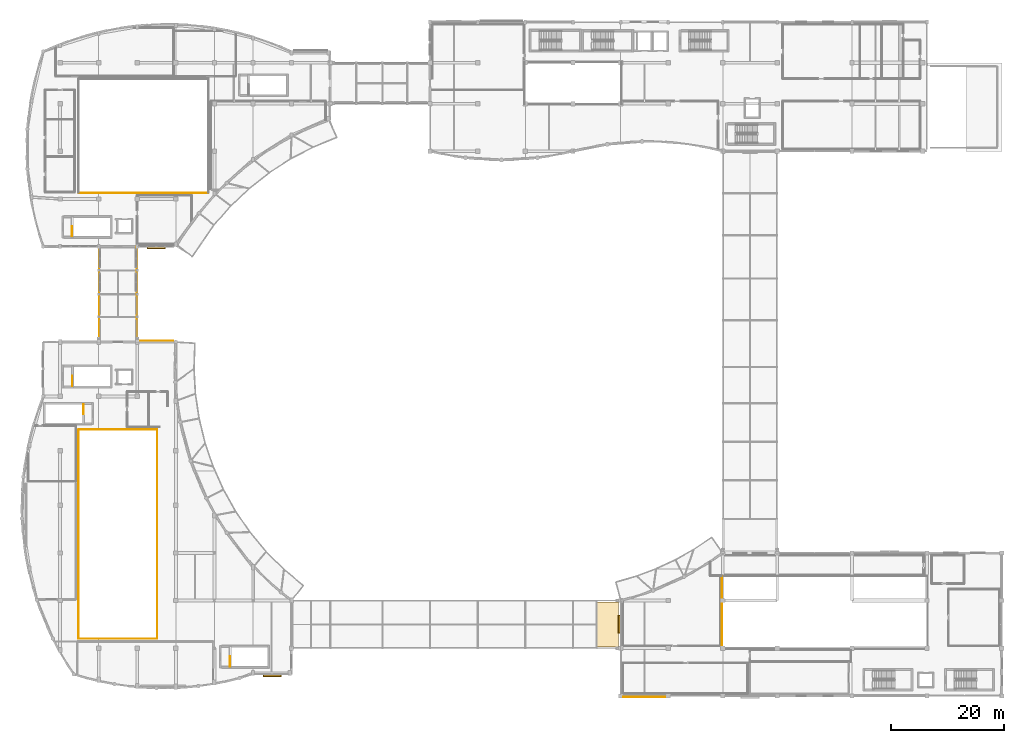
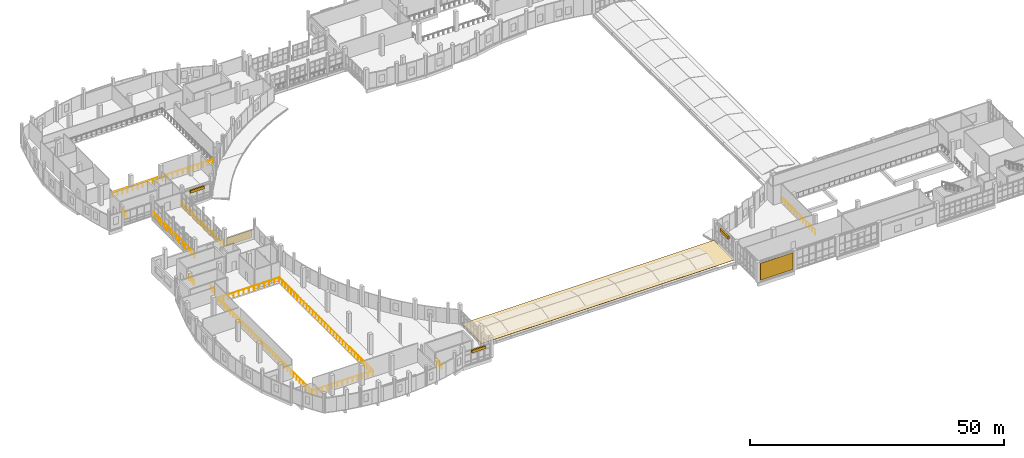
# One storey, part 98 of 106: 12 railings, 3 coverings, 3 shading devices.
"""IFC4 building model written with IfcOpenShell, lengths in metres."""

from ifc_helpers import new_model, si_unit, direction, frame, origin, origin_2d, place, context, subcontext, project, spatial, polyline, rectangle, circle, outline, extrude, material, layer, layer_set, type_object, element, save


model = new_model("IFC4")

# Units and contexts
model_context = context("Model", 3, precision=1e-05, world=origin(), true_north=direction((0.0, 1.0)))
body_context = subcontext(model_context, "Body", "Model", "MODEL_VIEW")
ifc_project = project(units=[si_unit("LENGTHUNIT", "METRE"), si_unit("AREAUNIT", "SQUARE_METRE"), si_unit("VOLUMEUNIT", "CUBIC_METRE"), si_unit("PLANEANGLEUNIT", "RADIAN"), si_unit("MASSUNIT", "GRAM", prefix="KILO")], contexts=[model_context])

# Site, building, storey
site_placement = place(None, origin())
site = spatial("IfcSite", under=ifc_project, at=site_placement, CompositionType="ELEMENT")
building_placement = place(site_placement, origin())
building = spatial("IfcBuilding", under=site, at=building_placement, Name="Kisaragi Civic Commons", CompositionType="ELEMENT")
storey_placement = place(building_placement, frame((0.0, 0.0, 4.800048828125)))
storey = spatial("IfcBuildingStorey", under=building, at=storey_placement, Name="L01", CompositionType="ELEMENT", Elevation=4.800048828125)

# Railings
ifc_material_1 = material(Name="Hot-dip galvanized and fluoropolymer-coated steel", Category="steel")
railing_type_1 = type_object("IfcRailingType", Name="BAL-01", PredefinedType="BALUSTRADE", material=ifc_material_1)
railing_1_placement = place(storey_placement, frame((13.679931640625, 62.6298828125, 0.0)))
element("IfcRailing", 1, at=railing_1_placement, inside=storey, type_object=railing_type_1, Name="BR-V2-V1 L01 bridge edge balustrade 3", PredefinedType="BALUSTRADE", context=body_context, shape_type="SweptSolid", body=[
    extrude(circle(Radius=0.02392578125, at=origin_2d()), frame((0.0, 0.0, 1.1259765625), z_axis=(0.0, 1.0, 0.0), x_axis=(-1.0, 0.0, 0.0)), (0.0, 0.0, 1.0), 16.490234375),
    extrude(circle(Radius=0.02099609375, at=origin_2d()), origin(), (0.0, 0.0, 1.0), 1.101806640625),
    extrude(circle(Radius=0.02099609375, at=origin_2d()), frame((0.0, 1.177978515625, 0.0)), (0.0, 0.0, 1.0), 1.101806640625),
    extrude(circle(Radius=0.02099609375, at=origin_2d()), frame((0.0, 2.355712890625, 0.0)), (0.0, 0.0, 1.0), 1.101806640625),
    extrude(circle(Radius=0.02099609375, at=origin_2d()), frame((0.0, 3.53369140625, 0.0)), (0.0, 0.0, 1.0), 1.101806640625),
    extrude(circle(Radius=0.02099609375, at=origin_2d()), frame((0.0, 4.71142578125, 0.0)), (0.0, 0.0, 1.0), 1.101806640625),
    extrude(circle(Radius=0.02099609375, at=origin_2d()), frame((0.0, 5.889404296875, 0.0)), (0.0, 0.0, 1.0), 1.101806640625),
    extrude(circle(Radius=0.02099609375, at=origin_2d()), frame((0.0, 7.067138671875, 0.0)), (0.0, 0.0, 1.0), 1.101806640625),
    extrude(circle(Radius=0.02099609375, at=origin_2d()), frame((0.0, 8.2451171875, 0.0)), (0.0, 0.0, 1.0), 1.101806640625),
    extrude(circle(Radius=0.02099609375, at=origin_2d()), frame((0.0, 9.423095703125, 0.0)), (0.0, 0.0, 1.0), 1.101806640625),
    extrude(circle(Radius=0.02099609375, at=origin_2d()), frame((0.0, 10.600830078125, 0.0)), (0.0, 0.0, 1.0), 1.101806640625),
    extrude(circle(Radius=0.02099609375, at=origin_2d()), frame((0.0, 11.77880859375, 0.0)), (0.0, 0.0, 1.0), 1.101806640625),
    extrude(circle(Radius=0.02099609375, at=origin_2d()), frame((0.0, 12.95654296875, 0.0)), (0.0, 0.0, 1.0), 1.101806640625),
    extrude(circle(Radius=0.02099609375, at=origin_2d()), frame((0.0, 14.134521484375, 0.0)), (0.0, 0.0, 1.0), 1.101806640625),
    extrude(circle(Radius=0.02099609375, at=origin_2d()), frame((0.0, 15.312255859375, 0.0)), (0.0, 0.0, 1.0), 1.101806640625),
    extrude(circle(Radius=0.02099609375, at=origin_2d()), frame((0.0, 16.490234375, 0.0)), (0.0, 0.0, 1.0), 1.101806640625),
])
railing_2_placement = place(storey_placement, frame((20.320068359375, 62.6298828125, 0.0)))
element("IfcRailing", 2, at=railing_2_placement, inside=storey, type_object=railing_type_1, Name="BR-V2-V1 L01 bridge edge balustrade 4", PredefinedType="BALUSTRADE", context=body_context, shape_type="SweptSolid", body=[
    extrude(circle(Radius=0.02392578125, at=origin_2d()), frame((0.0, 0.0, 1.1259765625), z_axis=(0.0, 1.0, 0.0), x_axis=(-1.0, 0.0, 0.0)), (0.0, 0.0, 1.0), 16.490234375),
    extrude(circle(Radius=0.02099609375, at=origin_2d()), origin(), (0.0, 0.0, 1.0), 1.101806640625),
    extrude(circle(Radius=0.02099609375, at=origin_2d()), frame((0.0, 1.177978515625, 0.0)), (0.0, 0.0, 1.0), 1.101806640625),
    extrude(circle(Radius=0.02099609375, at=origin_2d()), frame((0.0, 2.355712890625, 0.0)), (0.0, 0.0, 1.0), 1.101806640625),
    extrude(circle(Radius=0.02099609375, at=origin_2d()), frame((0.0, 3.53369140625, 0.0)), (0.0, 0.0, 1.0), 1.101806640625),
    extrude(circle(Radius=0.02099609375, at=origin_2d()), frame((0.0, 4.71142578125, 0.0)), (0.0, 0.0, 1.0), 1.101806640625),
    extrude(circle(Radius=0.02099609375, at=origin_2d()), frame((0.0, 5.889404296875, 0.0)), (0.0, 0.0, 1.0), 1.101806640625),
    extrude(circle(Radius=0.02099609375, at=origin_2d()), frame((0.0, 7.067138671875, 0.0)), (0.0, 0.0, 1.0), 1.101806640625),
    extrude(circle(Radius=0.02099609375, at=origin_2d()), frame((0.0, 8.2451171875, 0.0)), (0.0, 0.0, 1.0), 1.101806640625),
    extrude(circle(Radius=0.02099609375, at=origin_2d()), frame((0.0, 9.423095703125, 0.0)), (0.0, 0.0, 1.0), 1.101806640625),
    extrude(circle(Radius=0.02099609375, at=origin_2d()), frame((0.0, 10.600830078125, 0.0)), (0.0, 0.0, 1.0), 1.101806640625),
    extrude(circle(Radius=0.02099609375, at=origin_2d()), frame((0.0, 11.77880859375, 0.0)), (0.0, 0.0, 1.0), 1.101806640625),
    extrude(circle(Radius=0.02099609375, at=origin_2d()), frame((0.0, 12.95654296875, 0.0)), (0.0, 0.0, 1.0), 1.101806640625),
    extrude(circle(Radius=0.02099609375, at=origin_2d()), frame((0.0, 14.134521484375, 0.0)), (0.0, 0.0, 1.0), 1.101806640625),
    extrude(circle(Radius=0.02099609375, at=origin_2d()), frame((0.0, 15.312255859375, 0.0)), (0.0, 0.0, 1.0), 1.101806640625),
    extrude(circle(Radius=0.02099609375, at=origin_2d()), frame((0.0, 16.490234375, 0.0)), (0.0, 0.0, 1.0), 1.101806640625),
])

# Coverings
ifc_material_2 = material(Name="Extruded Tokoname terracotta rainscreen tile", Category="masonry")
ifc_layer_1 = layer(ifc_material_2, 0.0400390625, Name="Extruded Tokoname terracotta rainscreen tile", Category="masonry")
ifc_layer_set_1 = layer_set([ifc_layer_1], Name="Extruded Tokoname terracotta rainscreen tile")
covering_type_1 = type_object("IfcCoveringType", Name="CLD-01", PredefinedType="CLADDING", material=ifc_layer_set_1)
covering_1_placement = place(storey_placement, frame((109.800048828125, -0.177978515625, 0.25), z_axis=(0.0, 0.0, 1.0), x_axis=(-1.0, 0.0, 0.0)))
element("IfcCovering", 3, at=covering_1_placement, inside=storey, type_object=covering_type_1, Name="V3 L01 terracotta facade cladding 5", PredefinedType="CLADDING", context=body_context, shape_type="SweptSolid", body=[
    extrude(rectangle(XDim=7.39990234375, YDim=0.0400390625, at=origin_2d()), origin(), (0.0, 0.0, 1.0), 4.0400390625),
])
ifc_layer_2 = layer(ifc_material_2, 0.031982421875, Name="Extruded Tokoname terracotta rainscreen tile", Category="masonry")
ifc_layer_set_2 = layer_set([ifc_layer_2], Name="Extruded Tokoname terracotta rainscreen tile")
covering_type_2 = type_object("IfcCoveringType", Name="CLD-02", PredefinedType="CLADDING", material=ifc_layer_set_2)
covering_2_placement = place(storey_placement, frame((23.800048828125, 62.589111328125, 0.25), z_axis=(0.0, 0.0, 1.0), x_axis=(1.0, 0.0, 0.0)))
element("IfcCovering", 4, at=covering_2_placement, inside=storey, type_object=covering_type_2, Name="V1 L01 terracotta facade cladding 2", PredefinedType="CLADDING", context=body_context, shape_type="SweptSolid", body=[
    extrude(rectangle(XDim=5.800048828125, YDim=0.031982421875, at=origin_2d()), origin(), (0.0, 0.0, 1.0), 1.8701171875),
])

# Railings
ifc_material_3 = material(Name="Powder-coated architectural steel and hinoki cap rail", Category="steel")
railing_type_2 = type_object("IfcRailingType", Name="GRD-I1", PredefinedType="GUARDRAIL", material=ifc_material_3)
railing_3_placement = place(storey_placement, frame((10.06005859375, 10.06005859375, 0.0)))
element("IfcRailing", 5, at=railing_3_placement, inside=storey, type_object=railing_type_2, Name="V1 L01 gallery void guardrail 1", PredefinedType="GUARDRAIL", context=body_context, shape_type="SweptSolid", body=[
    extrude(circle(Radius=0.02392578125, at=origin_2d()), frame((0.0, 0.0, 1.1259765625), z_axis=(1.0, 0.0, 0.0), x_axis=(0.0, 1.0, 0.0)), (0.0, 0.0, 1.0), 13.8798828125),
    extrude(circle(Radius=0.02099609375, at=origin_2d()), origin(), (0.0, 0.0, 1.0), 1.101806640625),
    extrude(circle(Radius=0.02099609375, at=origin_2d()), frame((1.15673828125, 0.0, 0.0)), (0.0, 0.0, 1.0), 1.101806640625),
    extrude(circle(Radius=0.02099609375, at=origin_2d()), frame((2.313232421875, 0.0, 0.0)), (0.0, 0.0, 1.0), 1.101806640625),
    extrude(circle(Radius=0.02099609375, at=origin_2d()), frame((3.469970703125, 0.0, 0.0)), (0.0, 0.0, 1.0), 1.101806640625),
    extrude(circle(Radius=0.02099609375, at=origin_2d()), frame((4.626708984375, 0.0, 0.0)), (0.0, 0.0, 1.0), 1.101806640625),
    extrude(circle(Radius=0.02099609375, at=origin_2d()), frame((5.783203125, 0.0, 0.0)), (0.0, 0.0, 1.0), 1.101806640625),
    extrude(circle(Radius=0.02099609375, at=origin_2d()), frame((6.93994140625, 0.0, 0.0)), (0.0, 0.0, 1.0), 1.101806640625),
    extrude(circle(Radius=0.02099609375, at=origin_2d()), frame((8.0966796875, 0.0, 0.0)), (0.0, 0.0, 1.0), 1.101806640625),
    extrude(circle(Radius=0.02099609375, at=origin_2d()), frame((9.253173828125, 0.0, 0.0)), (0.0, 0.0, 1.0), 1.101806640625),
    extrude(circle(Radius=0.02099609375, at=origin_2d()), frame((10.409912109375, 0.0, 0.0)), (0.0, 0.0, 1.0), 1.101806640625),
    extrude(circle(Radius=0.02099609375, at=origin_2d()), frame((11.566650390625, 0.0, 0.0)), (0.0, 0.0, 1.0), 1.101806640625),
    extrude(circle(Radius=0.02099609375, at=origin_2d()), frame((12.72314453125, 0.0, 0.0)), (0.0, 0.0, 1.0), 1.101806640625),
    extrude(circle(Radius=0.02099609375, at=origin_2d()), frame((13.8798828125, 0.0, 0.0)), (0.0, 0.0, 1.0), 1.101806640625),
])
railing_4_placement = place(storey_placement, frame((23.93994140625, 10.090087890625, 0.0)))
element("IfcRailing", 6, at=railing_4_placement, inside=storey, type_object=railing_type_2, Name="V1 L01 gallery void guardrail 2", PredefinedType="GUARDRAIL", context=body_context, shape_type="SweptSolid", body=[
    extrude(circle(Radius=0.02392578125, at=origin_2d()), frame((0.0, 0.0, 1.1259765625), z_axis=(0.0, 1.0, 0.0), x_axis=(-1.0, 0.0, 0.0)), (0.0, 0.0, 1.0), 36.81982421875),
    extrude(circle(Radius=0.02099609375, at=origin_2d()), origin(), (0.0, 0.0, 1.0), 1.101806640625),
    extrude(circle(Radius=0.02099609375, at=origin_2d()), frame((0.0, 1.187744140625, 0.0)), (0.0, 0.0, 1.0), 1.101806640625),
    extrude(circle(Radius=0.02099609375, at=origin_2d()), frame((0.0, 2.37548828125, 0.0)), (0.0, 0.0, 1.0), 1.101806640625),
    extrude(circle(Radius=0.02099609375, at=origin_2d()), frame((0.0, 3.563232421875, 0.0)), (0.0, 0.0, 1.0), 1.101806640625),
    extrude(circle(Radius=0.02099609375, at=origin_2d()), frame((0.0, 4.7509765625, 0.0)), (0.0, 0.0, 1.0), 1.101806640625),
    extrude(circle(Radius=0.02099609375, at=origin_2d()), frame((0.0, 5.938720703125, 0.0)), (0.0, 0.0, 1.0), 1.101806640625),
    extrude(circle(Radius=0.02099609375, at=origin_2d()), frame((0.0, 7.12646484375, 0.0)), (0.0, 0.0, 1.0), 1.101806640625),
    extrude(circle(Radius=0.02099609375, at=origin_2d()), frame((0.0, 8.314208984375, 0.0)), (0.0, 0.0, 1.0), 1.101806640625),
    extrude(circle(Radius=0.02099609375, at=origin_2d()), frame((0.0, 9.501953125, 0.0)), (0.0, 0.0, 1.0), 1.101806640625),
    extrude(circle(Radius=0.02099609375, at=origin_2d()), frame((0.0, 10.689697265625, 0.0)), (0.0, 0.0, 1.0), 1.101806640625),
    extrude(circle(Radius=0.02099609375, at=origin_2d()), frame((0.0, 11.87744140625, 0.0)), (0.0, 0.0, 1.0), 1.101806640625),
    extrude(circle(Radius=0.02099609375, at=origin_2d()), frame((0.0, 13.065185546875, 0.0)), (0.0, 0.0, 1.0), 1.101806640625),
    extrude(circle(Radius=0.02099609375, at=origin_2d()), frame((0.0, 14.2529296875, 0.0)), (0.0, 0.0, 1.0), 1.101806640625),
    extrude(circle(Radius=0.02099609375, at=origin_2d()), frame((0.0, 15.440673828125, 0.0)), (0.0, 0.0, 1.0), 1.101806640625),
    extrude(circle(Radius=0.02099609375, at=origin_2d()), frame((0.0, 16.62841796875, 0.0)), (0.0, 0.0, 1.0), 1.101806640625),
    extrude(circle(Radius=0.02099609375, at=origin_2d()), frame((0.0, 17.816162109375, 0.0)), (0.0, 0.0, 1.0), 1.101806640625),
    extrude(circle(Radius=0.02099609375, at=origin_2d()), frame((0.0, 19.003662109375, 0.0)), (0.0, 0.0, 1.0), 1.101806640625),
    extrude(circle(Radius=0.02099609375, at=origin_2d()), frame((0.0, 20.19140625, 0.0)), (0.0, 0.0, 1.0), 1.101806640625),
    extrude(circle(Radius=0.02099609375, at=origin_2d()), frame((0.0, 21.379150390625, 0.0)), (0.0, 0.0, 1.0), 1.101806640625),
    extrude(circle(Radius=0.02099609375, at=origin_2d()), frame((0.0, 22.56689453125, 0.0)), (0.0, 0.0, 1.0), 1.101806640625),
    extrude(circle(Radius=0.02099609375, at=origin_2d()), frame((0.0, 23.754638671875, 0.0)), (0.0, 0.0, 1.0), 1.101806640625),
    extrude(circle(Radius=0.02099609375, at=origin_2d()), frame((0.0, 24.9423828125, 0.0)), (0.0, 0.0, 1.0), 1.101806640625),
    extrude(circle(Radius=0.02099609375, at=origin_2d()), frame((0.0, 26.130126953125, 0.0)), (0.0, 0.0, 1.0), 1.101806640625),
    extrude(circle(Radius=0.02099609375, at=origin_2d()), frame((0.0, 27.31787109375, 0.0)), (0.0, 0.0, 1.0), 1.101806640625),
    extrude(circle(Radius=0.02099609375, at=origin_2d()), frame((0.0, 28.505615234375, 0.0)), (0.0, 0.0, 1.0), 1.101806640625),
    extrude(circle(Radius=0.02099609375, at=origin_2d()), frame((0.0, 29.693359375, 0.0)), (0.0, 0.0, 1.0), 1.101806640625),
    extrude(circle(Radius=0.02099609375, at=origin_2d()), frame((0.0, 30.881103515625, 0.0)), (0.0, 0.0, 1.0), 1.101806640625),
    extrude(circle(Radius=0.02099609375, at=origin_2d()), frame((0.0, 32.06884765625, 0.0)), (0.0, 0.0, 1.0), 1.101806640625),
    extrude(circle(Radius=0.02099609375, at=origin_2d()), frame((0.0, 33.256591796875, 0.0)), (0.0, 0.0, 1.0), 1.101806640625),
    extrude(circle(Radius=0.02099609375, at=origin_2d()), frame((0.0, 34.4443359375, 0.0)), (0.0, 0.0, 1.0), 1.101806640625),
    extrude(circle(Radius=0.02099609375, at=origin_2d()), frame((0.0, 35.632080078125, 0.0)), (0.0, 0.0, 1.0), 1.101806640625),
    extrude(circle(Radius=0.02099609375, at=origin_2d()), frame((0.0, 36.81982421875, 0.0)), (0.0, 0.0, 1.0), 1.101806640625),
])
railing_5_placement = place(storey_placement, frame((23.93994140625, 46.93994140625, 0.0)))
element("IfcRailing", 7, at=railing_5_placement, inside=storey, type_object=railing_type_2, Name="V1 L01 gallery void guardrail 3", PredefinedType="GUARDRAIL", context=body_context, shape_type="SweptSolid", body=[
    extrude(circle(Radius=0.02392578125, at=origin_2d()), frame((0.0, 0.0, 1.1259765625), z_axis=(-1.0, 0.0, 0.0), x_axis=(0.0, -1.0, 0.0)), (0.0, 0.0, 1.0), 13.8798828125),
    extrude(circle(Radius=0.02099609375, at=origin_2d()), origin(), (0.0, 0.0, 1.0), 1.101806640625),
    extrude(circle(Radius=0.02099609375, at=origin_2d()), frame((-1.15673828125, 0.0, 0.0)), (0.0, 0.0, 1.0), 1.101806640625),
    extrude(circle(Radius=0.02099609375, at=origin_2d()), frame((-2.313232421875, 0.0, 0.0)), (0.0, 0.0, 1.0), 1.101806640625),
    extrude(circle(Radius=0.02099609375, at=origin_2d()), frame((-3.469970703125, 0.0, 0.0)), (0.0, 0.0, 1.0), 1.101806640625),
    extrude(circle(Radius=0.02099609375, at=origin_2d()), frame((-4.626708984375, 0.0, 0.0)), (0.0, 0.0, 1.0), 1.101806640625),
    extrude(circle(Radius=0.02099609375, at=origin_2d()), frame((-5.783203125, 0.0, 0.0)), (0.0, 0.0, 1.0), 1.101806640625),
    extrude(circle(Radius=0.02099609375, at=origin_2d()), frame((-6.93994140625, 0.0, 0.0)), (0.0, 0.0, 1.0), 1.101806640625),
    extrude(circle(Radius=0.02099609375, at=origin_2d()), frame((-8.0966796875, 0.0, 0.0)), (0.0, 0.0, 1.0), 1.101806640625),
    extrude(circle(Radius=0.02099609375, at=origin_2d()), frame((-9.253173828125, 0.0, 0.0)), (0.0, 0.0, 1.0), 1.101806640625),
    extrude(circle(Radius=0.02099609375, at=origin_2d()), frame((-10.409912109375, 0.0, 0.0)), (0.0, 0.0, 1.0), 1.101806640625),
    extrude(circle(Radius=0.02099609375, at=origin_2d()), frame((-11.566650390625, 0.0, 0.0)), (0.0, 0.0, 1.0), 1.101806640625),
    extrude(circle(Radius=0.02099609375, at=origin_2d()), frame((-12.72314453125, 0.0, 0.0)), (0.0, 0.0, 1.0), 1.101806640625),
    extrude(circle(Radius=0.02099609375, at=origin_2d()), frame((-13.8798828125, 0.0, 0.0)), (0.0, 0.0, 1.0), 1.101806640625),
])
railing_6_placement = place(storey_placement, frame((10.06005859375, 46.909912109375, 0.0)))
element("IfcRailing", 8, at=railing_6_placement, inside=storey, type_object=railing_type_2, Name="V1 L01 gallery void guardrail 4", PredefinedType="GUARDRAIL", context=body_context, shape_type="SweptSolid", body=[
    extrude(circle(Radius=0.02392578125, at=origin_2d()), frame((0.0, 0.0, 1.1259765625), z_axis=(0.0, -1.0, 0.0), x_axis=(1.0, 0.0, 0.0)), (0.0, 0.0, 1.0), 36.81982421875),
    extrude(circle(Radius=0.02099609375, at=origin_2d()), origin(), (0.0, 0.0, 1.0), 1.101806640625),
    extrude(circle(Radius=0.02099609375, at=origin_2d()), frame((0.0, -1.187744140625, 0.0)), (0.0, 0.0, 1.0), 1.101806640625),
    extrude(circle(Radius=0.02099609375, at=origin_2d()), frame((0.0, -2.37548828125, 0.0)), (0.0, 0.0, 1.0), 1.101806640625),
    extrude(circle(Radius=0.02099609375, at=origin_2d()), frame((0.0, -3.563232421875, 0.0)), (0.0, 0.0, 1.0), 1.101806640625),
    extrude(circle(Radius=0.02099609375, at=origin_2d()), frame((0.0, -4.7509765625, 0.0)), (0.0, 0.0, 1.0), 1.101806640625),
    extrude(circle(Radius=0.02099609375, at=origin_2d()), frame((0.0, -5.938720703125, 0.0)), (0.0, 0.0, 1.0), 1.101806640625),
    extrude(circle(Radius=0.02099609375, at=origin_2d()), frame((0.0, -7.12646484375, 0.0)), (0.0, 0.0, 1.0), 1.101806640625),
    extrude(circle(Radius=0.02099609375, at=origin_2d()), frame((0.0, -8.314208984375, 0.0)), (0.0, 0.0, 1.0), 1.101806640625),
    extrude(circle(Radius=0.02099609375, at=origin_2d()), frame((0.0, -9.501953125, 0.0)), (0.0, 0.0, 1.0), 1.101806640625),
    extrude(circle(Radius=0.02099609375, at=origin_2d()), frame((0.0, -10.689697265625, 0.0)), (0.0, 0.0, 1.0), 1.101806640625),
    extrude(circle(Radius=0.02099609375, at=origin_2d()), frame((0.0, -11.87744140625, 0.0)), (0.0, 0.0, 1.0), 1.101806640625),
    extrude(circle(Radius=0.02099609375, at=origin_2d()), frame((0.0, -13.065185546875, 0.0)), (0.0, 0.0, 1.0), 1.101806640625),
    extrude(circle(Radius=0.02099609375, at=origin_2d()), frame((0.0, -14.2529296875, 0.0)), (0.0, 0.0, 1.0), 1.101806640625),
    extrude(circle(Radius=0.02099609375, at=origin_2d()), frame((0.0, -15.440673828125, 0.0)), (0.0, 0.0, 1.0), 1.101806640625),
    extrude(circle(Radius=0.02099609375, at=origin_2d()), frame((0.0, -16.62841796875, 0.0)), (0.0, 0.0, 1.0), 1.101806640625),
    extrude(circle(Radius=0.02099609375, at=origin_2d()), frame((0.0, -17.816162109375, 0.0)), (0.0, 0.0, 1.0), 1.101806640625),
    extrude(circle(Radius=0.02099609375, at=origin_2d()), frame((0.0, -19.003662109375, 0.0)), (0.0, 0.0, 1.0), 1.101806640625),
    extrude(circle(Radius=0.02099609375, at=origin_2d()), frame((0.0, -20.19140625, 0.0)), (0.0, 0.0, 1.0), 1.101806640625),
    extrude(circle(Radius=0.02099609375, at=origin_2d()), frame((0.0, -21.379150390625, 0.0)), (0.0, 0.0, 1.0), 1.101806640625),
    extrude(circle(Radius=0.02099609375, at=origin_2d()), frame((0.0, -22.56689453125, 0.0)), (0.0, 0.0, 1.0), 1.101806640625),
    extrude(circle(Radius=0.02099609375, at=origin_2d()), frame((0.0, -23.754638671875, 0.0)), (0.0, 0.0, 1.0), 1.101806640625),
    extrude(circle(Radius=0.02099609375, at=origin_2d()), frame((0.0, -24.9423828125, 0.0)), (0.0, 0.0, 1.0), 1.101806640625),
    extrude(circle(Radius=0.02099609375, at=origin_2d()), frame((0.0, -26.130126953125, 0.0)), (0.0, 0.0, 1.0), 1.101806640625),
    extrude(circle(Radius=0.02099609375, at=origin_2d()), frame((0.0, -27.31787109375, 0.0)), (0.0, 0.0, 1.0), 1.101806640625),
    extrude(circle(Radius=0.02099609375, at=origin_2d()), frame((0.0, -28.505615234375, 0.0)), (0.0, 0.0, 1.0), 1.101806640625),
    extrude(circle(Radius=0.02099609375, at=origin_2d()), frame((0.0, -29.693359375, 0.0)), (0.0, 0.0, 1.0), 1.101806640625),
    extrude(circle(Radius=0.02099609375, at=origin_2d()), frame((0.0, -30.881103515625, 0.0)), (0.0, 0.0, 1.0), 1.101806640625),
    extrude(circle(Radius=0.02099609375, at=origin_2d()), frame((0.0, -32.06884765625, 0.0)), (0.0, 0.0, 1.0), 1.101806640625),
    extrude(circle(Radius=0.02099609375, at=origin_2d()), frame((0.0, -33.256591796875, 0.0)), (0.0, 0.0, 1.0), 1.101806640625),
    extrude(circle(Radius=0.02099609375, at=origin_2d()), frame((0.0, -34.4443359375, 0.0)), (0.0, 0.0, 1.0), 1.101806640625),
    extrude(circle(Radius=0.02099609375, at=origin_2d()), frame((0.0, -35.632080078125, 0.0)), (0.0, 0.0, 1.0), 1.101806640625),
    extrude(circle(Radius=0.02099609375, at=origin_2d()), frame((0.0, -36.81982421875, 0.0)), (0.0, 0.0, 1.0), 1.101806640625),
])
railing_7_placement = place(storey_placement, frame((10.06005859375, 88.659912109375, 0.0)))
element("IfcRailing", 9, at=railing_7_placement, inside=storey, type_object=railing_type_2, Name="V2 L01 gallery void guardrail 5", PredefinedType="GUARDRAIL", context=body_context, shape_type="SweptSolid", body=[
    extrude(circle(Radius=0.02392578125, at=origin_2d()), frame((0.0, 0.0, 1.1259765625), z_axis=(1.0, 0.0, 0.0), x_axis=(0.0, 1.0, 0.0)), (0.0, 0.0, 1.0), 22.8798828125),
    extrude(circle(Radius=0.02099609375, at=origin_2d()), origin(), (0.0, 0.0, 1.0), 1.101806640625),
    extrude(circle(Radius=0.02099609375, at=origin_2d()), frame((1.14404296875, 0.0, 0.0)), (0.0, 0.0, 1.0), 1.101806640625),
    extrude(circle(Radius=0.02099609375, at=origin_2d()), frame((2.2880859375, 0.0, 0.0)), (0.0, 0.0, 1.0), 1.101806640625),
    extrude(circle(Radius=0.02099609375, at=origin_2d()), frame((3.431884765625, 0.0, 0.0)), (0.0, 0.0, 1.0), 1.101806640625),
    extrude(circle(Radius=0.02099609375, at=origin_2d()), frame((4.575927734375, 0.0, 0.0)), (0.0, 0.0, 1.0), 1.101806640625),
    extrude(circle(Radius=0.02099609375, at=origin_2d()), frame((5.719970703125, 0.0, 0.0)), (0.0, 0.0, 1.0), 1.101806640625),
    extrude(circle(Radius=0.02099609375, at=origin_2d()), frame((6.864013671875, 0.0, 0.0)), (0.0, 0.0, 1.0), 1.101806640625),
    extrude(circle(Radius=0.02099609375, at=origin_2d()), frame((8.008056640625, 0.0, 0.0)), (0.0, 0.0, 1.0), 1.101806640625),
    extrude(circle(Radius=0.02099609375, at=origin_2d()), frame((9.15185546875, 0.0, 0.0)), (0.0, 0.0, 1.0), 1.101806640625),
    extrude(circle(Radius=0.02099609375, at=origin_2d()), frame((10.2958984375, 0.0, 0.0)), (0.0, 0.0, 1.0), 1.101806640625),
    extrude(circle(Radius=0.02099609375, at=origin_2d()), frame((11.43994140625, 0.0, 0.0)), (0.0, 0.0, 1.0), 1.101806640625),
    extrude(circle(Radius=0.02099609375, at=origin_2d()), frame((12.583984375, 0.0, 0.0)), (0.0, 0.0, 1.0), 1.101806640625),
    extrude(circle(Radius=0.02099609375, at=origin_2d()), frame((13.72802734375, 0.0, 0.0)), (0.0, 0.0, 1.0), 1.101806640625),
    extrude(circle(Radius=0.02099609375, at=origin_2d()), frame((14.871826171875, 0.0, 0.0)), (0.0, 0.0, 1.0), 1.101806640625),
    extrude(circle(Radius=0.02099609375, at=origin_2d()), frame((16.015869140625, 0.0, 0.0)), (0.0, 0.0, 1.0), 1.101806640625),
    extrude(circle(Radius=0.02099609375, at=origin_2d()), frame((17.159912109375, 0.0, 0.0)), (0.0, 0.0, 1.0), 1.101806640625),
    extrude(circle(Radius=0.02099609375, at=origin_2d()), frame((18.303955078125, 0.0, 0.0)), (0.0, 0.0, 1.0), 1.101806640625),
    extrude(circle(Radius=0.02099609375, at=origin_2d()), frame((19.447998046875, 0.0, 0.0)), (0.0, 0.0, 1.0), 1.101806640625),
    extrude(circle(Radius=0.02099609375, at=origin_2d()), frame((20.591796875, 0.0, 0.0)), (0.0, 0.0, 1.0), 1.101806640625),
    extrude(circle(Radius=0.02099609375, at=origin_2d()), frame((21.73583984375, 0.0, 0.0)), (0.0, 0.0, 1.0), 1.101806640625),
    extrude(circle(Radius=0.02099609375, at=origin_2d()), frame((22.8798828125, 0.0, 0.0)), (0.0, 0.0, 1.0), 1.101806640625),
])
railing_8_placement = place(storey_placement, frame((123.4599609375, 21.110107421875, 0.0)))
element("IfcRailing", 10, at=railing_8_placement, inside=storey, type_object=railing_type_2, Name="V3 L01 gallery void guardrail 12", PredefinedType="GUARDRAIL", context=body_context, shape_type="SweptSolid", body=[
    extrude(circle(Radius=0.02392578125, at=origin_2d()), frame((0.0, 0.0, 1.1259765625), z_axis=(0.0, -1.0, 0.0), x_axis=(1.0, 0.0, 0.0)), (0.0, 0.0, 1.0), 12.820068359375),
    extrude(circle(Radius=0.02099609375, at=origin_2d()), origin(), (0.0, 0.0, 1.0), 1.101806640625),
    extrude(circle(Radius=0.02099609375, at=origin_2d()), frame((0.0, -1.16552734375, 0.0)), (0.0, 0.0, 1.0), 1.101806640625),
    extrude(circle(Radius=0.02099609375, at=origin_2d()), frame((0.0, -2.330810546875, 0.0)), (0.0, 0.0, 1.0), 1.101806640625),
    extrude(circle(Radius=0.02099609375, at=origin_2d()), frame((0.0, -3.496337890625, 0.0)), (0.0, 0.0, 1.0), 1.101806640625),
    extrude(circle(Radius=0.02099609375, at=origin_2d()), frame((0.0, -4.661865234375, 0.0)), (0.0, 0.0, 1.0), 1.101806640625),
    extrude(circle(Radius=0.02099609375, at=origin_2d()), frame((0.0, -5.827392578125, 0.0)), (0.0, 0.0, 1.0), 1.101806640625),
    extrude(circle(Radius=0.02099609375, at=origin_2d()), frame((0.0, -6.99267578125, 0.0)), (0.0, 0.0, 1.0), 1.101806640625),
    extrude(circle(Radius=0.02099609375, at=origin_2d()), frame((0.0, -8.158203125, 0.0)), (0.0, 0.0, 1.0), 1.101806640625),
    extrude(circle(Radius=0.02099609375, at=origin_2d()), frame((0.0, -9.32373046875, 0.0)), (0.0, 0.0, 1.0), 1.101806640625),
    extrude(circle(Radius=0.02099609375, at=origin_2d()), frame((0.0, -10.4892578125, 0.0)), (0.0, 0.0, 1.0), 1.101806640625),
    extrude(circle(Radius=0.02099609375, at=origin_2d()), frame((0.0, -11.654541015625, 0.0)), (0.0, 0.0, 1.0), 1.101806640625),
    extrude(circle(Radius=0.02099609375, at=origin_2d()), frame((0.0, -12.820068359375, 0.0)), (0.0, 0.0, 1.0), 1.101806640625),
])
railing_type_3 = type_object("IfcRailingType", Name="GRD-S1", PredefinedType="GUARDRAIL", material=ifc_material_3)
railing_9_placement = place(storey_placement, frame((8.949951171875, 54.60009765625, 0.0)))
element("IfcRailing", 11, at=railing_9_placement, inside=storey, type_object=railing_type_3, Name="L01 ST-M1 top well guard 1", PredefinedType="GUARDRAIL", context=body_context, shape_type="SweptSolid", body=[
    extrude(circle(Radius=0.02392578125, at=origin_2d()), frame((0.0, 0.0, 1.1259765625), z_axis=(0.0, 1.0, 0.0), x_axis=(-1.0, 0.0, 0.0)), (0.0, 0.0, 1.0), 1.7998046875),
    extrude(circle(Radius=0.02099609375, at=origin_2d()), origin(), (0.0, 0.0, 1.0), 1.101806640625),
    extrude(circle(Radius=0.02099609375, at=origin_2d()), frame((0.0, 0.89990234375, 0.0)), (0.0, 0.0, 1.0), 1.101806640625),
    extrude(circle(Radius=0.02099609375, at=origin_2d()), frame((0.0, 1.7998046875, 0.0)), (0.0, 0.0, 1.0), 1.101806640625),
])
railing_10_placement = place(storey_placement, frame((36.75, 5.199951171875, 0.0)))
element("IfcRailing", 12, at=railing_10_placement, inside=storey, type_object=railing_type_3, Name="L01 ST-M2 top well guard 1", PredefinedType="GUARDRAIL", context=body_context, shape_type="SweptSolid", body=[
    extrude(circle(Radius=0.02392578125, at=origin_2d()), frame((0.0, 0.0, 1.1259765625), z_axis=(0.0, 1.0, 0.0), x_axis=(-1.0, 0.0, 0.0)), (0.0, 0.0, 1.0), 1.800048828125),
    extrude(circle(Radius=0.02099609375, at=origin_2d()), origin(), (0.0, 0.0, 1.0), 1.101806640625),
    extrude(circle(Radius=0.02099609375, at=origin_2d()), frame((0.0, 0.89990234375, 0.0)), (0.0, 0.0, 1.0), 1.101806640625),
    extrude(circle(Radius=0.02099609375, at=origin_2d()), frame((0.0, 1.800048828125, 0.0)), (0.0, 0.0, 1.0), 1.101806640625),
])
railing_11_placement = place(storey_placement, frame((10.89990234375, 51.39990234375, 0.0)))
element("IfcRailing", 13, at=railing_11_placement, inside=storey, type_object=railing_type_3, Name="L01 ST-M3 top well guard 1", PredefinedType="GUARDRAIL", context=body_context, shape_type="SweptSolid", body=[
    extrude(circle(Radius=0.02392578125, at=origin_2d()), frame((0.0, 0.0, 1.1259765625), z_axis=(0.0, -1.0, 0.0), x_axis=(1.0, 0.0, 0.0)), (0.0, 0.0, 1.0), 1.75),
    extrude(circle(Radius=0.02099609375, at=origin_2d()), origin(), (0.0, 0.0, 1.0), 1.101806640625),
    extrude(circle(Radius=0.02099609375, at=origin_2d()), frame((0.0, -0.875, 0.0)), (0.0, 0.0, 1.0), 1.101806640625),
    extrude(circle(Radius=0.02099609375, at=origin_2d()), frame((0.0, -1.75, 0.0)), (0.0, 0.0, 1.0), 1.101806640625),
])
railing_12_placement = place(storey_placement, frame((8.89990234375, 81.0, 0.0)))
element("IfcRailing", 14, at=railing_12_placement, inside=storey, type_object=railing_type_3, Name="L01 ST-S1 top well guard 1", PredefinedType="GUARDRAIL", context=body_context, shape_type="SweptSolid", body=[
    extrude(circle(Radius=0.02392578125, at=origin_2d()), frame((0.0, 0.0, 1.1259765625), z_axis=(0.0, 1.0, 0.0), x_axis=(-1.0, 0.0, 0.0)), (0.0, 0.0, 1.0), 1.75),
    extrude(circle(Radius=0.02099609375, at=origin_2d()), origin(), (0.0, 0.0, 1.0), 1.101806640625),
    extrude(circle(Radius=0.02099609375, at=origin_2d()), frame((0.0, 0.875, 0.0)), (0.0, 0.0, 1.0), 1.101806640625),
    extrude(circle(Radius=0.02099609375, at=origin_2d()), frame((0.0, 1.75, 0.0)), (0.0, 0.0, 1.0), 1.101806640625),
])

# Covering
ifc_material_4 = material(Name="Patinated copper-zinc standing-seam roofing")
ifc_layer_3 = layer(ifc_material_4, 0.044921875, Name="Patinated copper-zinc standing-seam roofing")
ifc_layer_set_3 = layer_set([ifc_layer_3], Name="Patinated copper-zinc standing-seam roofing")
covering_type_3 = type_object("IfcCoveringType", Name="RFG-01", PredefinedType="ROOFING", material=ifc_layer_set_3)
covering_3_placement = place(storey_placement, origin())
element("IfcCovering", 15, at=covering_3_placement, inside=storey, type_object=covering_type_3, Name="BR-V1-V3 roof standing-seam covering", PredefinedType="ROOFING", context=body_context, shape_type="SweptSolid", body=[
    extrude(outline(polyline([(47.85009765625, 8.64990234375), (105.199951171875, 8.64990234375), (105.199951171875, 16.550048828125), (47.85009765625, 16.550048828125), (47.85009765625, 8.64990234375)])), origin(), (0.0, 0.0, 1.0), 0.044921875),
])

# Shading devices
ifc_material_5 = material(Name="Extruded Tokoname terracotta sun-louvre blade", Category="masonry")
ifc_layer_4 = layer(ifc_material_5, 0.64990234375, Name="Extruded Tokoname terracotta sun-louvre blade", Category="masonry")
ifc_layer_set_4 = layer_set([ifc_layer_4], Name="Extruded Tokoname terracotta sun-louvre blade")
shading_device_type = type_object("IfcShadingDeviceType", Name="SHD-01", PredefinedType="JALOUSIE", material=ifc_layer_set_4)
for number, where, z_axis, x_axis, name in (
    (16, (44.16748046875, 3.5849609375, 2.7548828125), (0.0, 0.0, 1.0), (-1.0, 0.0, 0.0), "V1 L01 terracotta sun-louvre 1"),
    (17, (23.742431640625, 78.985107421875, 2.635009765625), (0.0, 0.0, 1.0), (-1.0, 0.0, 0.0), "V2 L01 terracotta sun-louvre 2"),
    (18, (105.385009765625, 12.60009765625, 3.554931640625), (0.0, 0.0, 1.0), (0.0, 1.0, 0.0), "V3 L01 terracotta sun-louvre 6"),
):
    element("IfcShadingDevice", number, at=place(storey_placement, frame(where, z_axis=z_axis, x_axis=x_axis)), inside=storey, type_object=shading_device_type, Name=name, PredefinedType="JALOUSIE", context=body_context, shape_type="SweptSolid", body=[
        extrude(rectangle(XDim=3.199951171875, YDim=0.35009765625, at=origin_2d()), origin(), (0.0, 0.0, 1.0), 0.64990234375),
    ])

save(model, "model.ifc")
